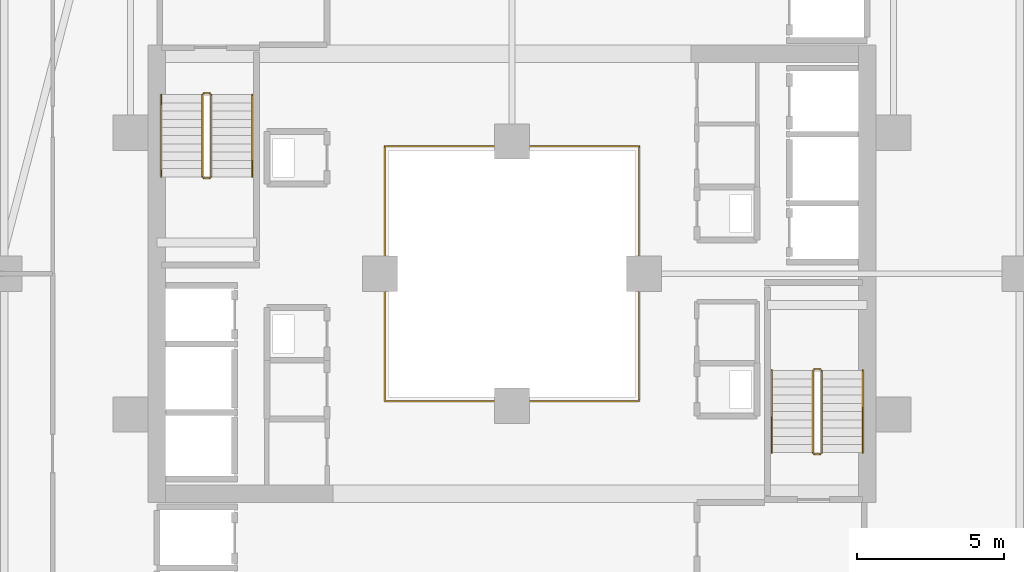
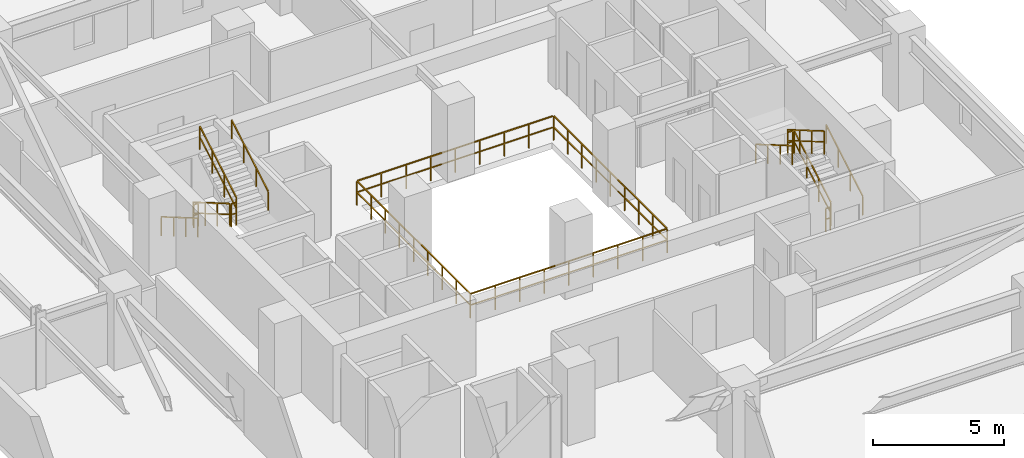
# One storey, part 32 of 33: 13 railings.
"""IFC4 building model written with IfcOpenShell, lengths in metres."""

from ifc_helpers import new_model, si_unit, direction, frame, origin, origin_2d, place, context, subcontext, project, spatial, rectangle, extrude, material, type_object, element, save


model = new_model("IFC4")

# Units and contexts
model_context = context("Model", 3, precision=1e-05, world=origin(), true_north=direction((0.0, 1.0)))
body_context = subcontext(model_context, "Body", "Model", "MODEL_VIEW")
ifc_project = project(units=[si_unit("LENGTHUNIT", "METRE"), si_unit("AREAUNIT", "SQUARE_METRE"), si_unit("VOLUMEUNIT", "CUBIC_METRE"), si_unit("PLANEANGLEUNIT", "RADIAN"), si_unit("MASSUNIT", "GRAM", prefix="KILO")], contexts=[model_context])

# Site, building, storey
site_placement = place(None, origin())
site = spatial("IfcSite", under=ifc_project, at=site_placement, CompositionType="ELEMENT")
building_placement = place(site_placement, origin())
building = spatial("IfcBuilding", under=site, at=building_placement, Name="Thornwick Lancets Civic Towers", CompositionType="ELEMENT")
storey_placement = place(building_placement, frame((0.0, 0.0, 98.10009765625)))
storey = spatial("IfcBuildingStorey", under=building, at=storey_placement, Name="L25", CompositionType="ELEMENT", Elevation=98.10009765625)

# Railings
ifc_material_1 = material(Name="Laminated glass and bronze steel S355", Category="steel")
railing_type_1 = type_object("IfcRailingType", Name="RAIL_ATRIUM_GUARD", PredefinedType="BALUSTRADE", material=ifc_material_1)
railing_1_placement = place(storey_placement, frame((84.159912109375, 22.659912109375, 0.0)))
element("IfcRailing", 1, at=railing_1_placement, inside=storey, type_object=railing_type_1, Name="L25 Tower B Central Atrium Guard Balustrade", PredefinedType="BALUSTRADE", context=body_context, shape_type="SweptSolid", body=[
    extrude(rectangle(XDim=0.048095703125, YDim=0.048095703125, at=origin_2d()), frame((0.0, 0.0, 1.1259765625), z_axis=(1.0, 0.0, 0.0), x_axis=(0.0, 1.0, 0.0)), (0.0, 0.0, 1.0), 8.64892578125),
    extrude(rectangle(XDim=0.0419921875, YDim=0.0419921875, at=origin_2d()), frame((0.03759765625, 0.0, 0.597900390625), z_axis=(1.0, 0.0, 0.0), x_axis=(0.0, 1.0, 0.0)), (0.0, 0.0, 1.0), 1.010009765625),
    extrude(rectangle(XDim=0.0419921875, YDim=0.0419921875, at=origin_2d()), frame((1.12255859375, 0.0, 0.597900390625), z_axis=(1.0, 0.0, 0.0), x_axis=(0.0, 1.0, 0.0)), (0.0, 0.0, 1.0), 1.010009765625),
    extrude(rectangle(XDim=0.0419921875, YDim=0.0419921875, at=origin_2d()), frame((2.20751953125, 0.0, 0.597900390625), z_axis=(1.0, 0.0, 0.0), x_axis=(0.0, 1.0, 0.0)), (0.0, 0.0, 1.0), 1.010009765625),
    extrude(rectangle(XDim=0.0419921875, YDim=0.0419921875, at=origin_2d()), frame((3.29248046875, 0.0, 0.597900390625), z_axis=(1.0, 0.0, 0.0), x_axis=(0.0, 1.0, 0.0)), (0.0, 0.0, 1.0), 1.010009765625),
    extrude(rectangle(XDim=0.0419921875, YDim=0.0419921875, at=origin_2d()), frame((4.377685546875, 0.0, 0.597900390625), z_axis=(1.0, 0.0, 0.0), x_axis=(0.0, 1.0, 0.0)), (0.0, 0.0, 1.0), 1.010009765625),
    extrude(rectangle(XDim=0.0419921875, YDim=0.0419921875, at=origin_2d()), frame((5.462646484375, 0.0, 0.597900390625), z_axis=(1.0, 0.0, 0.0), x_axis=(0.0, 1.0, 0.0)), (0.0, 0.0, 1.0), 1.010009765625),
    extrude(rectangle(XDim=0.0419921875, YDim=0.0419921875, at=origin_2d()), frame((6.547607421875, 0.0, 0.597900390625), z_axis=(1.0, 0.0, 0.0), x_axis=(0.0, 1.0, 0.0)), (0.0, 0.0, 1.0), 1.010009765625),
    extrude(rectangle(XDim=0.0419921875, YDim=0.0419921875, at=origin_2d()), frame((7.632568359375, 0.0, 0.597900390625), z_axis=(1.0, 0.0, 0.0), x_axis=(0.0, 1.0, 0.0)), (0.0, 0.0, 1.0), 1.010009765625),
    extrude(rectangle(XDim=0.048095703125, YDim=0.048095703125, at=origin_2d()), frame((8.68017578125, 0.03125, 1.1259765625), z_axis=(0.0, 1.0, 0.0), x_axis=(-1.0, 0.0, 0.0)), (0.0, 0.0, 1.0), 8.61767578125),
    extrude(rectangle(XDim=0.0419921875, YDim=0.0419921875, at=origin_2d()), frame((8.68017578125, 0.03759765625, 0.597900390625), z_axis=(0.0, 1.0, 0.0), x_axis=(-1.0, 0.0, 0.0)), (0.0, 0.0, 1.0), 1.010009765625),
    extrude(rectangle(XDim=0.0419921875, YDim=0.0419921875, at=origin_2d()), frame((8.68017578125, 1.12255859375, 0.597900390625), z_axis=(0.0, 1.0, 0.0), x_axis=(-1.0, 0.0, 0.0)), (0.0, 0.0, 1.0), 1.010009765625),
    extrude(rectangle(XDim=0.0419921875, YDim=0.0419921875, at=origin_2d()), frame((8.68017578125, 2.20751953125, 0.597900390625), z_axis=(0.0, 1.0, 0.0), x_axis=(-1.0, 0.0, 0.0)), (0.0, 0.0, 1.0), 1.010009765625),
    extrude(rectangle(XDim=0.0419921875, YDim=0.0419921875, at=origin_2d()), frame((8.68017578125, 3.29248046875, 0.597900390625), z_axis=(0.0, 1.0, 0.0), x_axis=(-1.0, 0.0, 0.0)), (0.0, 0.0, 1.0), 1.010009765625),
    extrude(rectangle(XDim=0.0419921875, YDim=0.0419921875, at=origin_2d()), frame((8.68017578125, 4.377685546875, 0.597900390625), z_axis=(0.0, 1.0, 0.0), x_axis=(-1.0, 0.0, 0.0)), (0.0, 0.0, 1.0), 1.010009765625),
    extrude(rectangle(XDim=0.0419921875, YDim=0.0419921875, at=origin_2d()), frame((8.68017578125, 5.462646484375, 0.597900390625), z_axis=(0.0, 1.0, 0.0), x_axis=(-1.0, 0.0, 0.0)), (0.0, 0.0, 1.0), 1.010009765625),
    extrude(rectangle(XDim=0.0419921875, YDim=0.0419921875, at=origin_2d()), frame((8.68017578125, 6.547607421875, 0.597900390625), z_axis=(0.0, 1.0, 0.0), x_axis=(-1.0, 0.0, 0.0)), (0.0, 0.0, 1.0), 1.010009765625),
    extrude(rectangle(XDim=0.0419921875, YDim=0.0419921875, at=origin_2d()), frame((8.68017578125, 7.632568359375, 0.597900390625), z_axis=(0.0, 1.0, 0.0), x_axis=(-1.0, 0.0, 0.0)), (0.0, 0.0, 1.0), 1.010009765625),
    extrude(rectangle(XDim=0.048095703125, YDim=0.048095703125, at=origin_2d()), frame((8.64892578125, 8.68017578125, 1.1259765625), z_axis=(-1.0, 0.0, 0.0), x_axis=(0.0, -1.0, 0.0)), (0.0, 0.0, 1.0), 8.61767578125),
    extrude(rectangle(XDim=0.0419921875, YDim=0.0419921875, at=origin_2d()), frame((8.642578125, 8.68017578125, 0.597900390625), z_axis=(-1.0, 0.0, 0.0), x_axis=(0.0, -1.0, 0.0)), (0.0, 0.0, 1.0), 1.010009765625),
    extrude(rectangle(XDim=0.0419921875, YDim=0.0419921875, at=origin_2d()), frame((7.5576171875, 8.68017578125, 0.597900390625), z_axis=(-1.0, 0.0, 0.0), x_axis=(0.0, -1.0, 0.0)), (0.0, 0.0, 1.0), 1.010009765625),
    extrude(rectangle(XDim=0.0419921875, YDim=0.0419921875, at=origin_2d()), frame((6.47265625, 8.68017578125, 0.597900390625), z_axis=(-1.0, 0.0, 0.0), x_axis=(0.0, -1.0, 0.0)), (0.0, 0.0, 1.0), 1.010009765625),
    extrude(rectangle(XDim=0.0419921875, YDim=0.0419921875, at=origin_2d()), frame((5.3876953125, 8.68017578125, 0.597900390625), z_axis=(-1.0, 0.0, 0.0), x_axis=(0.0, -1.0, 0.0)), (0.0, 0.0, 1.0), 1.010009765625),
    extrude(rectangle(XDim=0.0419921875, YDim=0.0419921875, at=origin_2d()), frame((4.302490234375, 8.68017578125, 0.597900390625), z_axis=(-1.0, 0.0, 0.0), x_axis=(0.0, -1.0, 0.0)), (0.0, 0.0, 1.0), 1.010009765625),
    extrude(rectangle(XDim=0.0419921875, YDim=0.0419921875, at=origin_2d()), frame((3.217529296875, 8.68017578125, 0.597900390625), z_axis=(-1.0, 0.0, 0.0), x_axis=(0.0, -1.0, 0.0)), (0.0, 0.0, 1.0), 1.010009765625),
    extrude(rectangle(XDim=0.0419921875, YDim=0.0419921875, at=origin_2d()), frame((2.132568359375, 8.68017578125, 0.597900390625), z_axis=(-1.0, 0.0, 0.0), x_axis=(0.0, -1.0, 0.0)), (0.0, 0.0, 1.0), 1.010009765625),
    extrude(rectangle(XDim=0.0419921875, YDim=0.0419921875, at=origin_2d()), frame((1.047607421875, 8.68017578125, 0.597900390625), z_axis=(-1.0, 0.0, 0.0), x_axis=(0.0, -1.0, 0.0)), (0.0, 0.0, 1.0), 1.010009765625),
    extrude(rectangle(XDim=0.048095703125, YDim=0.048095703125, at=origin_2d()), frame((0.0, 8.64892578125, 1.1259765625), z_axis=(0.0, -1.0, 0.0), x_axis=(1.0, 0.0, 0.0)), (0.0, 0.0, 1.0), 8.64892578125),
    extrude(rectangle(XDim=0.0419921875, YDim=0.0419921875, at=origin_2d()), frame((0.0, 8.642578125, 0.597900390625), z_axis=(0.0, -1.0, 0.0), x_axis=(1.0, 0.0, 0.0)), (0.0, 0.0, 1.0), 1.010009765625),
    extrude(rectangle(XDim=0.0419921875, YDim=0.0419921875, at=origin_2d()), frame((0.0, 7.5576171875, 0.597900390625), z_axis=(0.0, -1.0, 0.0), x_axis=(1.0, 0.0, 0.0)), (0.0, 0.0, 1.0), 1.010009765625),
    extrude(rectangle(XDim=0.0419921875, YDim=0.0419921875, at=origin_2d()), frame((0.0, 6.47265625, 0.597900390625), z_axis=(0.0, -1.0, 0.0), x_axis=(1.0, 0.0, 0.0)), (0.0, 0.0, 1.0), 1.010009765625),
    extrude(rectangle(XDim=0.0419921875, YDim=0.0419921875, at=origin_2d()), frame((0.0, 5.3876953125, 0.597900390625), z_axis=(0.0, -1.0, 0.0), x_axis=(1.0, 0.0, 0.0)), (0.0, 0.0, 1.0), 1.010009765625),
    extrude(rectangle(XDim=0.0419921875, YDim=0.0419921875, at=origin_2d()), frame((0.0, 4.302490234375, 0.597900390625), z_axis=(0.0, -1.0, 0.0), x_axis=(1.0, 0.0, 0.0)), (0.0, 0.0, 1.0), 1.010009765625),
    extrude(rectangle(XDim=0.0419921875, YDim=0.0419921875, at=origin_2d()), frame((0.0, 3.217529296875, 0.597900390625), z_axis=(0.0, -1.0, 0.0), x_axis=(1.0, 0.0, 0.0)), (0.0, 0.0, 1.0), 1.010009765625),
    extrude(rectangle(XDim=0.0419921875, YDim=0.0419921875, at=origin_2d()), frame((0.0, 2.132568359375, 0.597900390625), z_axis=(0.0, -1.0, 0.0), x_axis=(1.0, 0.0, 0.0)), (0.0, 0.0, 1.0), 1.010009765625),
    extrude(rectangle(XDim=0.0419921875, YDim=0.0419921875, at=origin_2d()), frame((0.0, 1.047607421875, 0.597900390625), z_axis=(0.0, -1.0, 0.0), x_axis=(1.0, 0.0, 0.0)), (0.0, 0.0, 1.0), 1.010009765625),
    extrude(rectangle(XDim=0.0419921875, YDim=0.0419921875, at=origin_2d()), origin(), (0.0, 0.0, 1.0), 1.095703125),
    extrude(rectangle(XDim=0.0419921875, YDim=0.0419921875, at=origin_2d()), frame((1.0849609375, 0.0, 0.0)), (0.0, 0.0, 1.0), 1.095703125),
    extrude(rectangle(XDim=0.0419921875, YDim=0.0419921875, at=origin_2d()), frame((2.169921875, 0.0, 0.0)), (0.0, 0.0, 1.0), 1.095703125),
    extrude(rectangle(XDim=0.0419921875, YDim=0.0419921875, at=origin_2d()), frame((3.255126953125, 0.0, 0.0)), (0.0, 0.0, 1.0), 1.095703125),
    extrude(rectangle(XDim=0.0419921875, YDim=0.0419921875, at=origin_2d()), frame((4.340087890625, 0.0, 0.0)), (0.0, 0.0, 1.0), 1.095703125),
    extrude(rectangle(XDim=0.0419921875, YDim=0.0419921875, at=origin_2d()), frame((5.425048828125, 0.0, 0.0)), (0.0, 0.0, 1.0), 1.095703125),
    extrude(rectangle(XDim=0.0419921875, YDim=0.0419921875, at=origin_2d()), frame((6.51025390625, 0.0, 0.0)), (0.0, 0.0, 1.0), 1.095703125),
    extrude(rectangle(XDim=0.0419921875, YDim=0.0419921875, at=origin_2d()), frame((7.59521484375, 0.0, 0.0)), (0.0, 0.0, 1.0), 1.095703125),
    extrude(rectangle(XDim=0.0419921875, YDim=0.0419921875, at=origin_2d()), frame((8.68017578125, 0.0, 0.0)), (0.0, 0.0, 1.0), 1.095703125),
    extrude(rectangle(XDim=0.0419921875, YDim=0.0419921875, at=origin_2d()), frame((8.68017578125, 1.0849609375, 0.0)), (0.0, 0.0, 1.0), 1.095703125),
    extrude(rectangle(XDim=0.0419921875, YDim=0.0419921875, at=origin_2d()), frame((8.68017578125, 2.169921875, 0.0)), (0.0, 0.0, 1.0), 1.095703125),
    extrude(rectangle(XDim=0.0419921875, YDim=0.0419921875, at=origin_2d()), frame((8.68017578125, 3.255126953125, 0.0)), (0.0, 0.0, 1.0), 1.095703125),
    extrude(rectangle(XDim=0.0419921875, YDim=0.0419921875, at=origin_2d()), frame((8.68017578125, 4.340087890625, 0.0)), (0.0, 0.0, 1.0), 1.095703125),
    extrude(rectangle(XDim=0.0419921875, YDim=0.0419921875, at=origin_2d()), frame((8.68017578125, 5.425048828125, 0.0)), (0.0, 0.0, 1.0), 1.095703125),
    extrude(rectangle(XDim=0.0419921875, YDim=0.0419921875, at=origin_2d()), frame((8.68017578125, 6.51025390625, 0.0)), (0.0, 0.0, 1.0), 1.095703125),
    extrude(rectangle(XDim=0.0419921875, YDim=0.0419921875, at=origin_2d()), frame((8.68017578125, 7.59521484375, 0.0)), (0.0, 0.0, 1.0), 1.095703125),
    extrude(rectangle(XDim=0.0419921875, YDim=0.0419921875, at=origin_2d()), frame((8.68017578125, 8.68017578125, 0.0)), (0.0, 0.0, 1.0), 1.095703125),
    extrude(rectangle(XDim=0.0419921875, YDim=0.0419921875, at=origin_2d()), frame((7.59521484375, 8.68017578125, 0.0)), (0.0, 0.0, 1.0), 1.095703125),
    extrude(rectangle(XDim=0.0419921875, YDim=0.0419921875, at=origin_2d()), frame((6.51025390625, 8.68017578125, 0.0)), (0.0, 0.0, 1.0), 1.095703125),
    extrude(rectangle(XDim=0.0419921875, YDim=0.0419921875, at=origin_2d()), frame((5.425048828125, 8.68017578125, 0.0)), (0.0, 0.0, 1.0), 1.095703125),
    extrude(rectangle(XDim=0.0419921875, YDim=0.0419921875, at=origin_2d()), frame((4.340087890625, 8.68017578125, 0.0)), (0.0, 0.0, 1.0), 1.095703125),
    extrude(rectangle(XDim=0.0419921875, YDim=0.0419921875, at=origin_2d()), frame((3.255126953125, 8.68017578125, 0.0)), (0.0, 0.0, 1.0), 1.095703125),
    extrude(rectangle(XDim=0.0419921875, YDim=0.0419921875, at=origin_2d()), frame((2.169921875, 8.68017578125, 0.0)), (0.0, 0.0, 1.0), 1.095703125),
    extrude(rectangle(XDim=0.0419921875, YDim=0.0419921875, at=origin_2d()), frame((1.0849609375, 8.68017578125, 0.0)), (0.0, 0.0, 1.0), 1.095703125),
    extrude(rectangle(XDim=0.0419921875, YDim=0.0419921875, at=origin_2d()), frame((0.0, 8.68017578125, 0.0)), (0.0, 0.0, 1.0), 1.095703125),
    extrude(rectangle(XDim=0.0419921875, YDim=0.0419921875, at=origin_2d()), frame((0.0, 7.59521484375, 0.0)), (0.0, 0.0, 1.0), 1.095703125),
    extrude(rectangle(XDim=0.0419921875, YDim=0.0419921875, at=origin_2d()), frame((0.0, 6.51025390625, 0.0)), (0.0, 0.0, 1.0), 1.095703125),
    extrude(rectangle(XDim=0.0419921875, YDim=0.0419921875, at=origin_2d()), frame((0.0, 5.425048828125, 0.0)), (0.0, 0.0, 1.0), 1.095703125),
    extrude(rectangle(XDim=0.0419921875, YDim=0.0419921875, at=origin_2d()), frame((0.0, 4.340087890625, 0.0)), (0.0, 0.0, 1.0), 1.095703125),
    extrude(rectangle(XDim=0.0419921875, YDim=0.0419921875, at=origin_2d()), frame((0.0, 3.255126953125, 0.0)), (0.0, 0.0, 1.0), 1.095703125),
    extrude(rectangle(XDim=0.0419921875, YDim=0.0419921875, at=origin_2d()), frame((0.0, 2.169921875, 0.0)), (0.0, 0.0, 1.0), 1.095703125),
    extrude(rectangle(XDim=0.0419921875, YDim=0.0419921875, at=origin_2d()), frame((0.0, 1.0849609375, 0.0)), (0.0, 0.0, 1.0), 1.095703125),
])
ifc_material_2 = material(Name="Brushed stainless steel S355", Category="steel")
railing_type_2 = type_object("IfcRailingType", Name="RAIL_HANDRAIL", PredefinedType="HANDRAIL", material=ifc_material_2)
railing_2_placement = place(storey_placement, frame((100.449951171875, 20.89990234375, 0.16357421875)))
element("IfcRailing", 2, at=railing_2_placement, inside=storey, type_object=railing_type_2, Name="L25 ST-B1 stair handrail 1", PredefinedType="HANDRAIL", context=body_context, shape_type="SweptSolid", body=[
    extrude(rectangle(XDim=0.048095703125, YDim=0.048095703125, at=origin_2d()), frame((0.0, 0.0, 0.8857421875), z_axis=(0.0, 0.863393664356, 0.504530851732), x_axis=(-1.0, 0.0, 0.0)), (0.0, 0.0, 1.0), 3.2431640625),
    extrude(rectangle(XDim=0.0419921875, YDim=0.0419921875, at=origin_2d()), origin(), (0.0, 0.0, 1.0), 0.855712890625),
    extrude(rectangle(XDim=0.0419921875, YDim=0.0419921875, at=origin_2d()), frame((0.0, 0.933349609375, 0.54541015625)), (0.0, 0.0, 1.0), 0.855712890625),
    extrude(rectangle(XDim=0.0419921875, YDim=0.0419921875, at=origin_2d()), frame((0.0, 1.86669921875, 1.0908203125)), (0.0, 0.0, 1.0), 0.855712890625),
    extrude(rectangle(XDim=0.0419921875, YDim=0.0419921875, at=origin_2d()), frame((0.0, 2.800048828125, 1.63623046875)), (0.0, 0.0, 1.0), 0.855712890625),
])
for number, where, name in (
    (3, (97.35009765625, 23.699951171875, 1.963623046875), "L25 ST-B1 stair handrail 2"),
    (4, (76.550048828125, 33.10009765625, 0.16357421875), "L25 ST-B2 stair handrail 1"),
):
    element("IfcRailing", number, at=place(storey_placement, frame(where)), inside=storey, type_object=railing_type_2, Name=name, PredefinedType="HANDRAIL", context=body_context, shape_type="SweptSolid", body=[
        extrude(rectangle(XDim=0.048095703125, YDim=0.048095703125, at=origin_2d()), frame((0.0, 0.0, 0.8857421875), z_axis=(0.0, -0.863393664356, 0.504530851732), x_axis=(1.0, 0.0, 0.0)), (0.0, 0.0, 1.0), 3.2431640625),
        extrude(rectangle(XDim=0.0419921875, YDim=0.0419921875, at=origin_2d()), origin(), (0.0, 0.0, 1.0), 0.855712890625),
        extrude(rectangle(XDim=0.0419921875, YDim=0.0419921875, at=origin_2d()), frame((0.0, -0.933349609375, 0.54541015625)), (0.0, 0.0, 1.0), 0.855712890625),
        extrude(rectangle(XDim=0.0419921875, YDim=0.0419921875, at=origin_2d()), frame((0.0, -1.86669921875, 1.0908203125)), (0.0, 0.0, 1.0), 0.855712890625),
        extrude(rectangle(XDim=0.0419921875, YDim=0.0419921875, at=origin_2d()), frame((0.0, -2.800048828125, 1.63623046875)), (0.0, 0.0, 1.0), 0.855712890625),
    ])
railing_3_placement = place(storey_placement, frame((79.64990234375, 30.300048828125, 1.963623046875)))
element("IfcRailing", 5, at=railing_3_placement, inside=storey, type_object=railing_type_2, Name="L25 ST-B2 stair handrail 2", PredefinedType="HANDRAIL", context=body_context, shape_type="SweptSolid", body=[
    extrude(rectangle(XDim=0.048095703125, YDim=0.048095703125, at=origin_2d()), frame((0.0, 0.0, 0.8857421875), z_axis=(0.0, 0.863393664356, 0.504530851732), x_axis=(-1.0, 0.0, 0.0)), (0.0, 0.0, 1.0), 3.2431640625),
    extrude(rectangle(XDim=0.0419921875, YDim=0.0419921875, at=origin_2d()), origin(), (0.0, 0.0, 1.0), 0.855712890625),
    extrude(rectangle(XDim=0.0419921875, YDim=0.0419921875, at=origin_2d()), frame((0.0, 0.933349609375, 0.54541015625)), (0.0, 0.0, 1.0), 0.855712890625),
    extrude(rectangle(XDim=0.0419921875, YDim=0.0419921875, at=origin_2d()), frame((0.0, 1.86669921875, 1.0908203125)), (0.0, 0.0, 1.0), 0.855712890625),
    extrude(rectangle(XDim=0.0419921875, YDim=0.0419921875, at=origin_2d()), frame((0.0, 2.800048828125, 1.63623046875)), (0.0, 0.0, 1.0), 0.855712890625),
])
ifc_material_3 = material(Name="Steel S355JR", Category="steel")
railing_type_3 = type_object("IfcRailingType", Name="RAIL_STAIR_GUARD", PredefinedType="GUARDRAIL", material=ifc_material_3)
railing_4_placement = place(storey_placement, frame((99.050048828125, 20.89990234375, 0.16357421875)))
element("IfcRailing", 6, at=railing_4_placement, inside=storey, type_object=railing_type_3, Name="L25 ST-B1 stair guard 1", PredefinedType="GUARDRAIL", context=body_context, shape_type="SweptSolid", body=[
    extrude(rectangle(XDim=0.048095703125, YDim=0.048095703125, at=origin_2d()), frame((0.0, 0.0, 1.076171875), z_axis=(0.0, 0.863393664356, 0.504530851732), x_axis=(-1.0, 0.0, 0.0)), (0.0, 0.0, 1.0), 3.2431640625),
    extrude(rectangle(XDim=0.0419921875, YDim=0.0419921875, at=origin_2d()), frame((0.0, 0.032470703125, 0.591064453125), z_axis=(0.0, 0.863393664356, 0.504530851732), x_axis=(-1.0, 0.0, 0.0)), (0.0, 0.0, 1.0), 1.006103515625),
    extrude(rectangle(XDim=0.0419921875, YDim=0.0419921875, at=origin_2d()), frame((0.0, 0.9658203125, 1.136474609375), z_axis=(0.0, 0.863393664356, 0.504530851732), x_axis=(-1.0, 0.0, 0.0)), (0.0, 0.0, 1.0), 1.006103515625),
    extrude(rectangle(XDim=0.0419921875, YDim=0.0419921875, at=origin_2d()), frame((0.0, 1.899169921875, 1.681884765625), z_axis=(0.0, 0.863393664356, 0.504530851732), x_axis=(-1.0, 0.0, 0.0)), (0.0, 0.0, 1.0), 1.006103515625),
    extrude(rectangle(XDim=0.0419921875, YDim=0.0419921875, at=origin_2d()), origin(), (0.0, 0.0, 1.0), 1.0458984375),
    extrude(rectangle(XDim=0.0419921875, YDim=0.0419921875, at=origin_2d()), frame((0.0, 0.933349609375, 0.54541015625)), (0.0, 0.0, 1.0), 1.0458984375),
    extrude(rectangle(XDim=0.0419921875, YDim=0.0419921875, at=origin_2d()), frame((0.0, 1.86669921875, 1.0908203125)), (0.0, 0.0, 1.0), 1.0458984375),
    extrude(rectangle(XDim=0.0419921875, YDim=0.0419921875, at=origin_2d()), frame((0.0, 2.800048828125, 1.63623046875)), (0.0, 0.0, 1.0), 1.0458984375),
])
railing_5_placement = place(storey_placement, frame((99.0, 23.75, 1.7998046875)))
element("IfcRailing", 7, at=railing_5_placement, inside=storey, type_object=railing_type_3, Name="L25 ST-B1 stair guard 2", PredefinedType="GUARDRAIL", context=body_context, shape_type="SweptSolid", body=[
    extrude(rectangle(XDim=0.048095703125, YDim=0.048095703125, at=origin_2d()), frame((0.0, 0.0, 1.076171875), z_axis=(-1.0, 0.0, 0.0), x_axis=(0.0, -1.0, 0.0)), (0.0, 0.0, 1.0), 0.199951171875),
    extrude(rectangle(XDim=0.0419921875, YDim=0.0419921875, at=origin_2d()), frame((-0.03759765625, 0.0, 0.572021484375), z_axis=(-1.0, 0.0, 0.0), x_axis=(0.0, -1.0, 0.0)), (0.0, 0.0, 1.0), 0.125),
    extrude(rectangle(XDim=0.0419921875, YDim=0.0419921875, at=origin_2d()), origin(), (0.0, 0.0, 1.0), 1.0458984375),
    extrude(rectangle(XDim=0.0419921875, YDim=0.0419921875, at=origin_2d()), frame((-0.199951171875, 0.0, 0.0)), (0.0, 0.0, 1.0), 1.0458984375),
])
railing_6_placement = place(storey_placement, frame((98.75, 23.699951171875, 1.963623046875)))
element("IfcRailing", 8, at=railing_6_placement, inside=storey, type_object=railing_type_3, Name="L25 ST-B1 stair guard 3", PredefinedType="GUARDRAIL", context=body_context, shape_type="SweptSolid", body=[
    extrude(rectangle(XDim=0.048095703125, YDim=0.048095703125, at=origin_2d()), frame((0.0, 0.0, 1.076171875), z_axis=(0.0, -0.863393664356, 0.504530851732), x_axis=(1.0, 0.0, 0.0)), (0.0, 0.0, 1.0), 3.2431640625),
    extrude(rectangle(XDim=0.0419921875, YDim=0.0419921875, at=origin_2d()), frame((0.0, -0.032470703125, 0.591064453125), z_axis=(0.0, -0.863393664356, 0.504530851732), x_axis=(1.0, 0.0, 0.0)), (0.0, 0.0, 1.0), 1.006103515625),
    extrude(rectangle(XDim=0.0419921875, YDim=0.0419921875, at=origin_2d()), frame((0.0, -0.9658203125, 1.136474609375), z_axis=(0.0, -0.863393664356, 0.504530851732), x_axis=(1.0, 0.0, 0.0)), (0.0, 0.0, 1.0), 1.006103515625),
    extrude(rectangle(XDim=0.0419921875, YDim=0.0419921875, at=origin_2d()), frame((0.0, -1.899169921875, 1.681884765625), z_axis=(0.0, -0.863393664356, 0.504530851732), x_axis=(1.0, 0.0, 0.0)), (0.0, 0.0, 1.0), 1.006103515625),
    extrude(rectangle(XDim=0.0419921875, YDim=0.0419921875, at=origin_2d()), origin(), (0.0, 0.0, 1.0), 1.0458984375),
    extrude(rectangle(XDim=0.0419921875, YDim=0.0419921875, at=origin_2d()), frame((0.0, -0.933349609375, 0.54541015625)), (0.0, 0.0, 1.0), 1.0458984375),
    extrude(rectangle(XDim=0.0419921875, YDim=0.0419921875, at=origin_2d()), frame((0.0, -1.86669921875, 1.0908203125)), (0.0, 0.0, 1.0), 1.0458984375),
    extrude(rectangle(XDim=0.0419921875, YDim=0.0419921875, at=origin_2d()), frame((0.0, -2.800048828125, 1.63623046875)), (0.0, 0.0, 1.0), 1.0458984375),
])
railing_7_placement = place(storey_placement, frame((99.0, 20.85009765625, 0.0)))
element("IfcRailing", 9, at=railing_7_placement, inside=storey, type_object=railing_type_3, Name="L25 ST-B1 stair guard 4", PredefinedType="GUARDRAIL", context=body_context, shape_type="SweptSolid", body=[
    extrude(rectangle(XDim=0.048095703125, YDim=0.048095703125, at=origin_2d()), frame((0.0, 0.0, 1.076171875), z_axis=(-1.0, 0.0, 0.0), x_axis=(0.0, -1.0, 0.0)), (0.0, 0.0, 1.0), 0.199951171875),
    extrude(rectangle(XDim=0.0419921875, YDim=0.0419921875, at=origin_2d()), frame((-0.03759765625, 0.0, 0.572021484375), z_axis=(-1.0, 0.0, 0.0), x_axis=(0.0, -1.0, 0.0)), (0.0, 0.0, 1.0), 0.125),
    extrude(rectangle(XDim=0.0419921875, YDim=0.0419921875, at=origin_2d()), origin(), (0.0, 0.0, 1.0), 1.0458984375),
    extrude(rectangle(XDim=0.0419921875, YDim=0.0419921875, at=origin_2d()), frame((-0.199951171875, 0.0, 0.0)), (0.0, 0.0, 1.0), 1.0458984375),
])
railing_8_placement = place(storey_placement, frame((77.949951171875, 33.10009765625, 0.16357421875)))
element("IfcRailing", 10, at=railing_8_placement, inside=storey, type_object=railing_type_3, Name="L25 ST-B2 stair guard 1", PredefinedType="GUARDRAIL", context=body_context, shape_type="SweptSolid", body=[
    extrude(rectangle(XDim=0.048095703125, YDim=0.048095703125, at=origin_2d()), frame((0.0, 0.0, 1.076171875), z_axis=(0.0, -0.863393664356, 0.504530851732), x_axis=(1.0, 0.0, 0.0)), (0.0, 0.0, 1.0), 3.2431640625),
    extrude(rectangle(XDim=0.0419921875, YDim=0.0419921875, at=origin_2d()), frame((0.0, -0.032470703125, 0.591064453125), z_axis=(0.0, -0.863393664356, 0.504530851732), x_axis=(1.0, 0.0, 0.0)), (0.0, 0.0, 1.0), 1.006103515625),
    extrude(rectangle(XDim=0.0419921875, YDim=0.0419921875, at=origin_2d()), frame((0.0, -0.9658203125, 1.136474609375), z_axis=(0.0, -0.863393664356, 0.504530851732), x_axis=(1.0, 0.0, 0.0)), (0.0, 0.0, 1.0), 1.006103515625),
    extrude(rectangle(XDim=0.0419921875, YDim=0.0419921875, at=origin_2d()), frame((0.0, -1.899169921875, 1.681884765625), z_axis=(0.0, -0.863393664356, 0.504530851732), x_axis=(1.0, 0.0, 0.0)), (0.0, 0.0, 1.0), 1.006103515625),
    extrude(rectangle(XDim=0.0419921875, YDim=0.0419921875, at=origin_2d()), origin(), (0.0, 0.0, 1.0), 1.0458984375),
    extrude(rectangle(XDim=0.0419921875, YDim=0.0419921875, at=origin_2d()), frame((0.0, -0.933349609375, 0.54541015625)), (0.0, 0.0, 1.0), 1.0458984375),
    extrude(rectangle(XDim=0.0419921875, YDim=0.0419921875, at=origin_2d()), frame((0.0, -1.86669921875, 1.0908203125)), (0.0, 0.0, 1.0), 1.0458984375),
    extrude(rectangle(XDim=0.0419921875, YDim=0.0419921875, at=origin_2d()), frame((0.0, -2.800048828125, 1.63623046875)), (0.0, 0.0, 1.0), 1.0458984375),
])
railing_9_placement = place(storey_placement, frame((78.0, 30.25, 1.7998046875)))
element("IfcRailing", 11, at=railing_9_placement, inside=storey, type_object=railing_type_3, Name="L25 ST-B2 stair guard 2", PredefinedType="GUARDRAIL", context=body_context, shape_type="SweptSolid", body=[
    extrude(rectangle(XDim=0.048095703125, YDim=0.048095703125, at=origin_2d()), frame((0.0, 0.0, 1.076171875), z_axis=(1.0, 0.0, 0.0), x_axis=(0.0, 1.0, 0.0)), (0.0, 0.0, 1.0), 0.199951171875),
    extrude(rectangle(XDim=0.0419921875, YDim=0.0419921875, at=origin_2d()), frame((0.03759765625, 0.0, 0.572021484375), z_axis=(1.0, 0.0, 0.0), x_axis=(0.0, 1.0, 0.0)), (0.0, 0.0, 1.0), 0.125),
    extrude(rectangle(XDim=0.0419921875, YDim=0.0419921875, at=origin_2d()), origin(), (0.0, 0.0, 1.0), 1.0458984375),
    extrude(rectangle(XDim=0.0419921875, YDim=0.0419921875, at=origin_2d()), frame((0.199951171875, 0.0, 0.0)), (0.0, 0.0, 1.0), 1.0458984375),
])
railing_10_placement = place(storey_placement, frame((78.25, 30.300048828125, 1.963623046875)))
element("IfcRailing", 12, at=railing_10_placement, inside=storey, type_object=railing_type_3, Name="L25 ST-B2 stair guard 3", PredefinedType="GUARDRAIL", context=body_context, shape_type="SweptSolid", body=[
    extrude(rectangle(XDim=0.048095703125, YDim=0.048095703125, at=origin_2d()), frame((0.0, 0.0, 1.076171875), z_axis=(0.0, 0.863393664356, 0.504530851732), x_axis=(-1.0, 0.0, 0.0)), (0.0, 0.0, 1.0), 3.2431640625),
    extrude(rectangle(XDim=0.0419921875, YDim=0.0419921875, at=origin_2d()), frame((0.0, 0.032470703125, 0.591064453125), z_axis=(0.0, 0.863393664356, 0.504530851732), x_axis=(-1.0, 0.0, 0.0)), (0.0, 0.0, 1.0), 1.006103515625),
    extrude(rectangle(XDim=0.0419921875, YDim=0.0419921875, at=origin_2d()), frame((0.0, 0.9658203125, 1.136474609375), z_axis=(0.0, 0.863393664356, 0.504530851732), x_axis=(-1.0, 0.0, 0.0)), (0.0, 0.0, 1.0), 1.006103515625),
    extrude(rectangle(XDim=0.0419921875, YDim=0.0419921875, at=origin_2d()), frame((0.0, 1.899169921875, 1.681884765625), z_axis=(0.0, 0.863393664356, 0.504530851732), x_axis=(-1.0, 0.0, 0.0)), (0.0, 0.0, 1.0), 1.006103515625),
    extrude(rectangle(XDim=0.0419921875, YDim=0.0419921875, at=origin_2d()), origin(), (0.0, 0.0, 1.0), 1.0458984375),
    extrude(rectangle(XDim=0.0419921875, YDim=0.0419921875, at=origin_2d()), frame((0.0, 0.933349609375, 0.54541015625)), (0.0, 0.0, 1.0), 1.0458984375),
    extrude(rectangle(XDim=0.0419921875, YDim=0.0419921875, at=origin_2d()), frame((0.0, 1.86669921875, 1.0908203125)), (0.0, 0.0, 1.0), 1.0458984375),
    extrude(rectangle(XDim=0.0419921875, YDim=0.0419921875, at=origin_2d()), frame((0.0, 2.800048828125, 1.63623046875)), (0.0, 0.0, 1.0), 1.0458984375),
])
railing_11_placement = place(storey_placement, frame((78.0, 33.14990234375, 0.0)))
element("IfcRailing", 13, at=railing_11_placement, inside=storey, type_object=railing_type_3, Name="L25 ST-B2 stair guard 4", PredefinedType="GUARDRAIL", context=body_context, shape_type="SweptSolid", body=[
    extrude(rectangle(XDim=0.048095703125, YDim=0.048095703125, at=origin_2d()), frame((0.0, 0.0, 1.076171875), z_axis=(1.0, 0.0, 0.0), x_axis=(0.0, 1.0, 0.0)), (0.0, 0.0, 1.0), 0.199951171875),
    extrude(rectangle(XDim=0.0419921875, YDim=0.0419921875, at=origin_2d()), frame((0.03759765625, 0.0, 0.572021484375), z_axis=(1.0, 0.0, 0.0), x_axis=(0.0, 1.0, 0.0)), (0.0, 0.0, 1.0), 0.125),
    extrude(rectangle(XDim=0.0419921875, YDim=0.0419921875, at=origin_2d()), origin(), (0.0, 0.0, 1.0), 1.0458984375),
    extrude(rectangle(XDim=0.0419921875, YDim=0.0419921875, at=origin_2d()), frame((0.199951171875, 0.0, 0.0)), (0.0, 0.0, 1.0), 1.0458984375),
])

save(model, "model.ifc")
